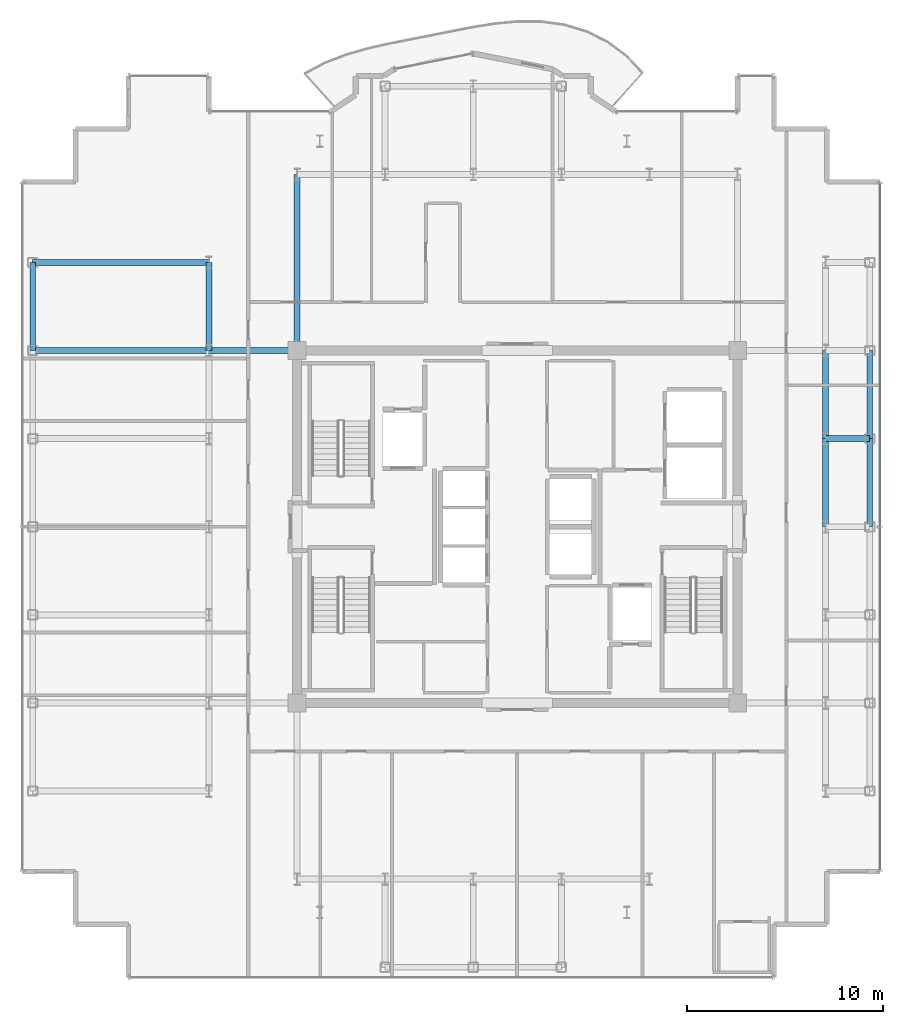
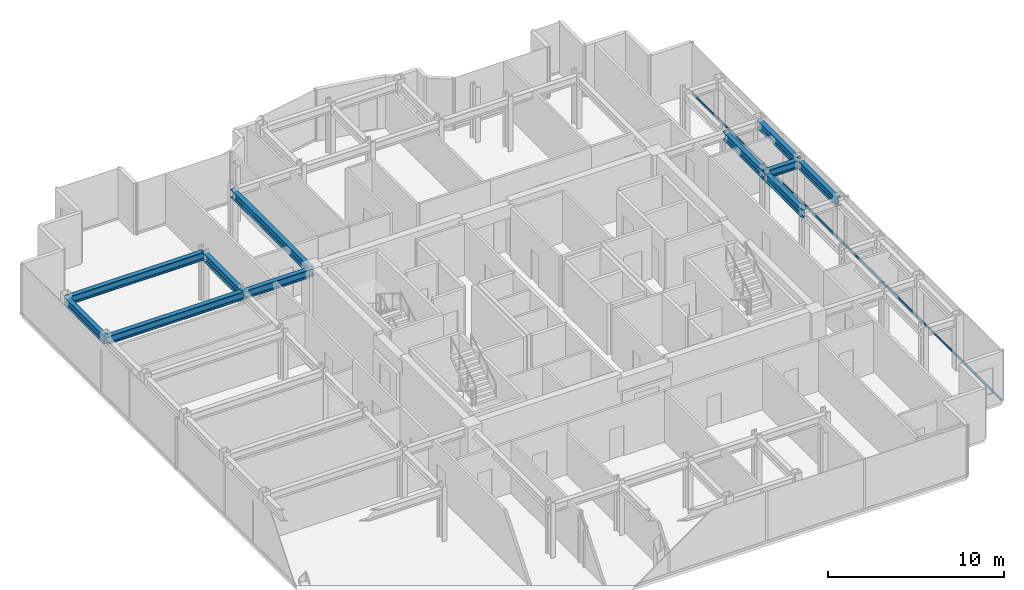
# One storey, part 8 of 18: 11 beams, 1 member, 1 element without a shape of its own.
"""IFC4 building model written with IfcOpenShell, lengths in metres."""

from ifc_helpers import new_model, si_unit, direction, frame, origin, origin_2d, place, context, subcontext, project, spatial, hollow_rectangle, i_section, extrude, source, transform, mapped, material, layer, layer_set, material_profile, profile_set, type_object, element, aggregate, save


model = new_model("IFC4")

# Units and contexts
model_context = context("Model", 3, precision=1e-05, world=origin(), true_north=direction((0.0, 1.0)))
body_context = subcontext(model_context, "Body", "Model", "MODEL_VIEW")
ifc_project = project(units=[si_unit("LENGTHUNIT", "METRE"), si_unit("AREAUNIT", "SQUARE_METRE"), si_unit("VOLUMEUNIT", "CUBIC_METRE"), si_unit("PLANEANGLEUNIT", "RADIAN"), si_unit("MASSUNIT", "GRAM", prefix="KILO")], contexts=[model_context])

# Site, building, storey
site_placement = place(None, origin())
site = spatial("IfcSite", under=ifc_project, at=site_placement, CompositionType="ELEMENT")
building_placement = place(site_placement, origin())
building = spatial("IfcBuilding", under=site, at=building_placement, Name="Nefas-Gora Pilgrimage Tower", CompositionType="ELEMENT")
storey_placement = place(building_placement, frame((0.0, 0.0, 302.60009765625)))
storey = spatial("IfcBuildingStorey", under=building, at=storey_placement, Name="L76", CompositionType="ELEMENT", Elevation=302.60009765625)

# Beams
ifc_material_1 = material(Name="Steel S355", Category="steel")
ifc_material_profile_1 = material_profile(ifc_material_1, i_section(OverallWidth=0.300048828125, OverallDepth=0.550048828125, WebThickness=0.014892578125, FlangeThickness=0.029052734375, FilletRadius=0.027099609375, at=origin_2d()), Name="HEB 550")
ifc_profile_set_1 = profile_set([ifc_material_profile_1], Name="Steel S355")
beam_type_1 = type_object("IfcBeamType", Name="BM-SPN-HEB400", PredefinedType="SPANDREL", material=ifc_profile_set_1)
shared_shape_1 = source(origin(), body_context, "Body", "SweptSolid", [
    extrude(i_section(OverallWidth=0.300048828125, OverallDepth=0.550048828125, WebThickness=0.014892578125, FlangeThickness=0.029052734375, FilletRadius=0.027099609375, at=origin_2d()), origin(), (0.0, 0.0, 1.0), 4.5),
])
for number, where, z_axis, x_axis, name in (
    (1, (-24.75, 9.0, 3.27490234375), (0.0, 1.0, 0.0), (-1.0, 0.0, 0.0), "L76 SP-04 beam"),
    (2, (18.0, 0.0, 3.27490234375), (0.0, 1.0, 0.0), (-1.0, 0.0, 0.0), "L76 SP-04 beam"),
    (3, (18.0, 4.5, 3.27490234375), (0.0, 1.0, 0.0), (-1.0, 0.0, 0.0), "L76 SP-04 beam"),
):
    element("IfcBeam", number, at=place(storey_placement, frame(where, z_axis=z_axis, x_axis=x_axis)), inside=storey, type_object=beam_type_1, Name=name, PredefinedType="SPANDREL", context=body_context, shape_type="MappedRepresentation", body=[
        mapped(shared_shape_1, transform((0.0, 0.0, 0.0), x_axis=(1.0, 0.0, 0.0), y_axis=(0.0, 1.0, 0.0), z_axis=(0.0, 0.0, 1.0), scale=1.0)),
    ])
ifc_material_profile_2 = material_profile(ifc_material_1, i_section(OverallWidth=0.300048828125, OverallDepth=0.550048828125, WebThickness=0.014892578125, FlangeThickness=0.029052734375, FilletRadius=0.027099609375, at=origin_2d()), Name="HEB 550")
ifc_profile_set_2 = profile_set([ifc_material_profile_2], Name="Steel S355")
beam_type_2 = type_object("IfcBeamType", Name="BM-GIR-HEB550", PredefinedType="BEAM", material=ifc_profile_set_2)
shared_shape_2 = source(origin(), body_context, "Body", "SweptSolid", [
    extrude(i_section(OverallWidth=0.300048828125, OverallDepth=0.550048828125, WebThickness=0.014892578125, FlangeThickness=0.029052734375, FilletRadius=0.027099609375, at=origin_2d()), origin(), (0.0, 0.0, 1.0), 9.0),
])
for number, where, z_axis, x_axis, name in (
    (4, (-24.75, 9.0, 3.27490234375), (1.0, 0.0, 0.0), (0.0, 1.0, 0.0), "L76 G-05 beam"),
    (5, (-24.75, 13.5, 3.27490234375), (1.0, 0.0, 0.0), (0.0, 1.0, 0.0), "L76 G-05 beam"),
    (6, (-11.25, 9.0, 3.27490234375), (0.0, 1.0, 0.0), (-1.0, 0.0, 0.0), "L76 G-05 beam"),
):
    element("IfcBeam", number, at=place(storey_placement, frame(where, z_axis=z_axis, x_axis=x_axis)), inside=storey, type_object=beam_type_2, Name=name, PredefinedType="BEAM", context=body_context, shape_type="MappedRepresentation", body=[
        mapped(shared_shape_2, transform((0.0, 0.0, 0.0), x_axis=(1.0, 0.0, 0.0), y_axis=(0.0, 1.0, 0.0), z_axis=(0.0, 0.0, 1.0), scale=1.0)),
    ])
shared_shape_3 = source(origin(), body_context, "Body", "SweptSolid", [
    extrude(i_section(OverallWidth=0.300048828125, OverallDepth=0.550048828125, WebThickness=0.014892578125, FlangeThickness=0.029052734375, FilletRadius=0.027099609375, at=origin_2d()), origin(), (0.0, 0.0, 1.0), 4.5),
])
for number, where, z_axis, x_axis, name in (
    (7, (-15.75, 9.0, 3.27490234375), (0.0, 1.0, 0.0), (-1.0, 0.0, 0.0), "L76 G-05 beam"),
    (8, (-15.75, 9.0, 3.27490234375), (1.0, 0.0, 0.0), (0.0, 1.0, 0.0), "L76 G-05 beam"),
    (9, (15.75, 0.0, 3.27490234375), (0.0, 1.0, 0.0), (-1.0, 0.0, 0.0), "L76 G-05 beam"),
    (10, (15.75, 4.5, 3.27490234375), (0.0, 1.0, 0.0), (-1.0, 0.0, 0.0), "L76 G-05 beam"),
):
    element("IfcBeam", number, at=place(storey_placement, frame(where, z_axis=z_axis, x_axis=x_axis)), inside=storey, type_object=beam_type_2, Name=name, PredefinedType="BEAM", context=body_context, shape_type="MappedRepresentation", body=[
        mapped(shared_shape_3, transform((0.0, 0.0, 0.0), x_axis=(1.0, 0.0, 0.0), y_axis=(0.0, 1.0, 0.0), z_axis=(0.0, 0.0, 1.0), scale=1.0)),
    ])
shared_shape_4 = source(origin(), body_context, "Body", "SweptSolid", [
    extrude(i_section(OverallWidth=0.300048828125, OverallDepth=0.550048828125, WebThickness=0.014892578125, FlangeThickness=0.029052734375, FilletRadius=0.027099609375, at=origin_2d()), origin(), (0.0, 0.0, 1.0), 2.25),
])
beam_placement = place(storey_placement, frame((15.75, 4.5, 3.27490234375), z_axis=(1.0, 0.0, 0.0), x_axis=(0.0, 1.0, 0.0)))
element("IfcBeam", 11, at=beam_placement, inside=storey, type_object=beam_type_2, Name="L76 G-05 beam", PredefinedType="BEAM", context=body_context, shape_type="MappedRepresentation", body=[
    mapped(shared_shape_4, transform((0.0, 0.0, 0.0), x_axis=(1.0, 0.0, 0.0), y_axis=(0.0, 1.0, 0.0), z_axis=(0.0, 0.0, 1.0), scale=1.0)),
])

# Curtain wall, member
ifc_material_2 = material(Name="Dark ceramic-fritted solar-control aluminium-glass curtain wall", Category="aluminium")
ifc_layer = layer(ifc_material_2, 0.219970703125)
ifc_layer_set = layer_set([ifc_layer], Name="Dark ceramic-fritted solar-control aluminium-glass curtain wall")
curtain_wall_type = type_object("IfcCurtainWallType", Name="CW-SYS-4", PredefinedType="NOTDEFINED", material=ifc_layer_set)
curtain_wall_placement = place(storey_placement, origin())
curtain_wall = element("IfcCurtainWall", 12, at=curtain_wall_placement, inside=storey, type_object=curtain_wall_type, Name="L76 Unitised Curtain Wall CW4", PredefinedType="NOTDEFINED")
ifc_material_3 = material(Name="Anodised architectural aluminium", Category="aluminium")
ifc_material_profile_3 = material_profile(ifc_material_3, hollow_rectangle(XDim=0.080078125, YDim=0.159912109375, WallThickness=0.00439453125, InnerFilletRadius=0.00439453125, OuterFilletRadius=0.009033203125, at=origin_2d()), Name="ALU TRANSOM 80x160")
ifc_profile_set_3 = profile_set([ifc_material_profile_3], Name="Anodised architectural aluminium")
member_type = type_object("IfcMemberType", Name="CWM-TRN-4", PredefinedType="USERDEFINED", material=ifc_profile_set_3)
shared_shape_5 = source(origin(), body_context, "Body", "SweptSolid", [
    extrude(hollow_rectangle(XDim=0.080078125, YDim=0.159912109375, WallThickness=0.00439453125, InnerFilletRadius=0.00439453125, OuterFilletRadius=0.009033203125, at=origin_2d()), origin(), (0.0, 0.0, 1.0), 35.06005859375),
])
member_placement = place(storey_placement, frame((18.52001953125, -17.530029296875, 0.0498046875), z_axis=(0.0, 1.0, 0.0), x_axis=(-1.0, 0.0, 0.0)))
member = element("IfcMember", 13, at=member_placement, type_object=member_type, Name="CW4 Spandrel Transom", ObjectType="TRANSOM", PredefinedType="USERDEFINED", context=body_context, shape_type="MappedRepresentation", body=[
    mapped(shared_shape_5, transform((0.0, 0.0, 0.0), x_axis=(1.0, 0.0, 0.0), y_axis=(0.0, 1.0, 0.0), z_axis=(0.0, 0.0, 1.0), scale=1.0)),
])
aggregate(curtain_wall, [member])

save(model, "model.ifc")
